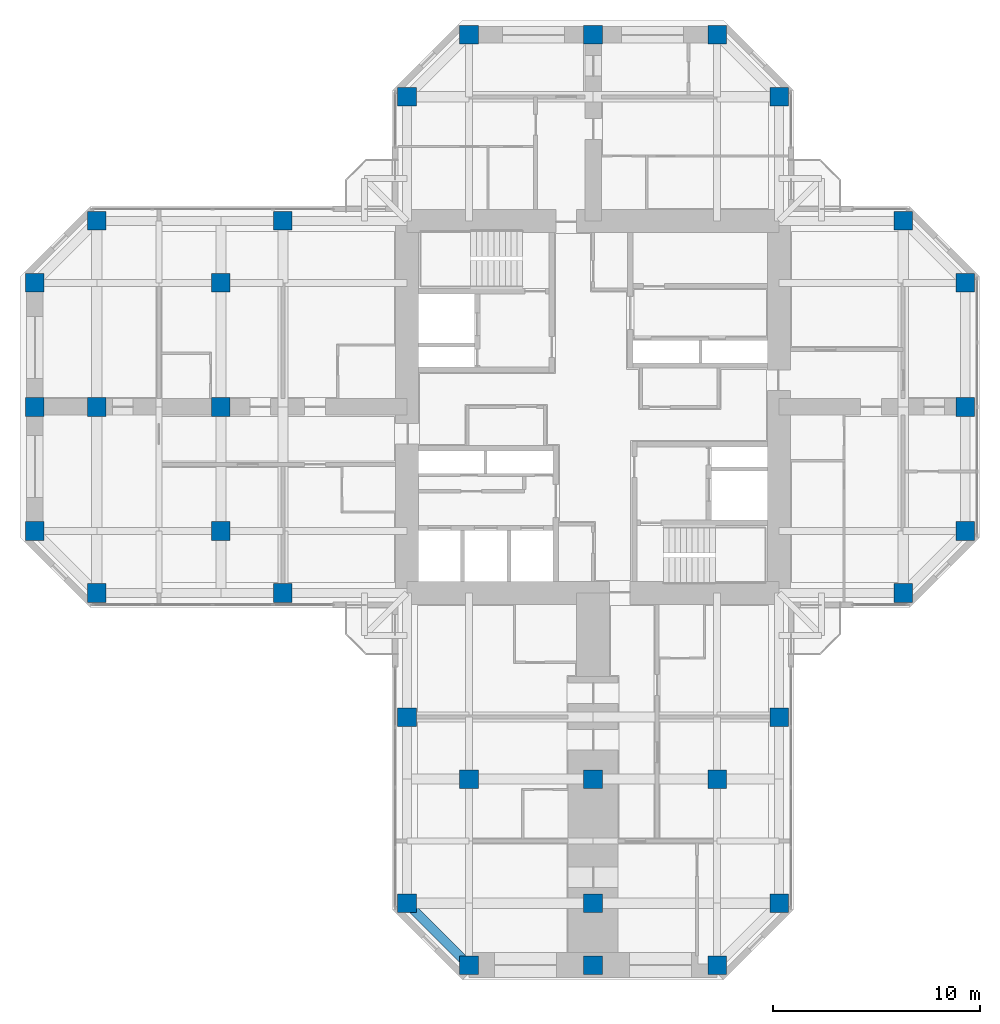
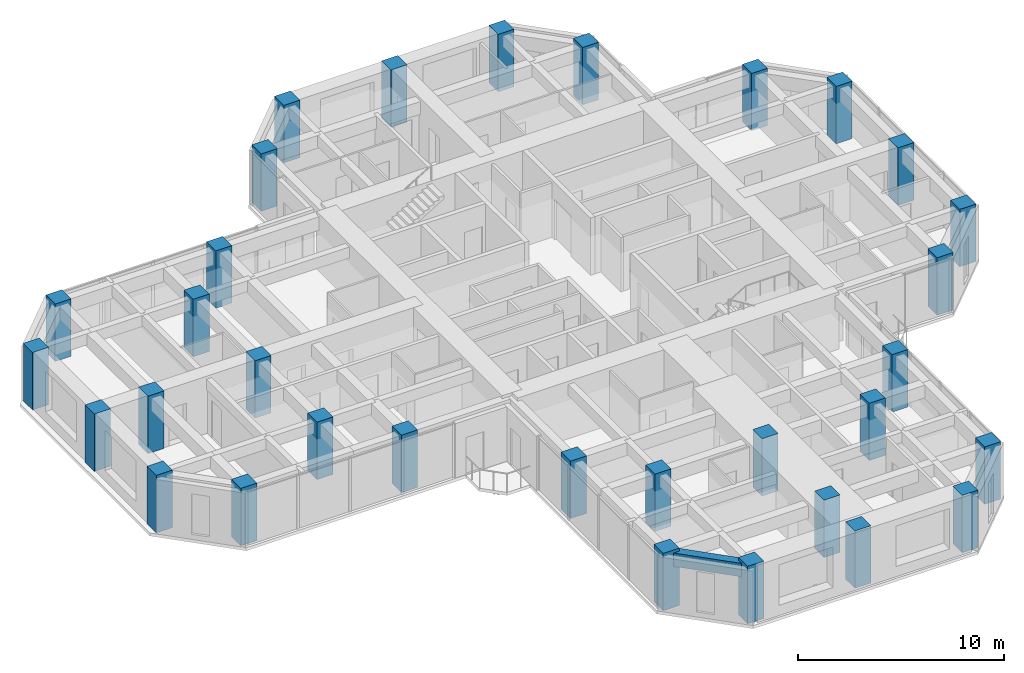
# One storey, part 1 of 14: 32 columns, 1 beam.
"""IFC4 building model written with IfcOpenShell, lengths in metres."""

from ifc_helpers import new_model, si_unit, direction, frame, origin, origin_2d, place, context, subcontext, project, spatial, rectangle, extrude, material, material_profile, profile_set, type_object, element, save


model = new_model("IFC4")

# Units and contexts
model_context = context("Model", 3, precision=1e-05, world=origin(), true_north=direction((0.0, 1.0)))
body_context = subcontext(model_context, "Body", "Model", "MODEL_VIEW")
ifc_project = project(units=[si_unit("LENGTHUNIT", "METRE"), si_unit("AREAUNIT", "SQUARE_METRE"), si_unit("VOLUMEUNIT", "CUBIC_METRE"), si_unit("PLANEANGLEUNIT", "RADIAN"), si_unit("MASSUNIT", "GRAM", prefix="KILO")], contexts=[model_context])

# Site, building, storey
site_placement = place(None, origin())
site = spatial("IfcSite", under=ifc_project, at=site_placement, CompositionType="ELEMENT")
building_placement = place(site_placement, origin())
building = spatial("IfcBuilding", under=site, at=building_placement, Name="Torre Cruceta", CompositionType="ELEMENT")
storey_placement = place(building_placement, frame((0.0, 0.0, 210.300048828125)))
storey = spatial("IfcBuildingStorey", under=building, at=storey_placement, Name="L53", CompositionType="ELEMENT", Elevation=210.300048828125)

# Columns
ifc_material_1 = material(Name="Concrete G60 (fck 60 MPa)", Category="concrete")
ifc_material_profile_1 = material_profile(ifc_material_1, rectangle(XDim=0.89990234375, YDim=0.89990234375, at=origin_2d()), Name="RC 900X900")
ifc_profile_set_1 = profile_set([ifc_material_profile_1], Name="Concrete G60 (fck 60 MPa)")
column_type = type_object("IfcColumnType", Name="COLUMN RC 900X900", PredefinedType="COLUMN", material=ifc_profile_set_1)
for number, where, z_axis, x_axis, name in (
    (1, (9.0, 15.0, 0.0), (0.0, 0.0, 1.0), (1.0, 0.0, 0.0), "C6 L53 N chamfer"),
    (2, (-9.0, 15.0, 0.0), (0.0, 0.0, 1.0), (1.0, 0.0, 0.0), "C6 L53 N chamfer"),
    (3, (6.0, 18.0, 0.0), (0.0, 0.0, 1.0), (1.0, 0.0, 0.0), "C6 L53 N tip"),
    (4, (0.0, 18.0, 0.0), (0.0, 0.0, 1.0), (1.0, 0.0, 0.0), "C6 L53 N tip"),
    (5, (-6.0, 18.0, 0.0), (0.0, 0.0, 1.0), (1.0, 0.0, 0.0), "C6 L53 N tip"),
    (6, (15.0, -9.0, 0.0), (0.0, 0.0, 1.0), (1.0, 0.0, 0.0), "C6 L53 E chamfer"),
    (7, (15.0, 9.0, 0.0), (0.0, 0.0, 1.0), (1.0, 0.0, 0.0), "C6 L53 E chamfer"),
    (8, (18.0, -6.0, 0.0), (0.0, 0.0, 1.0), (1.0, 0.0, 0.0), "C6 L53 E tip"),
    (9, (18.0, 0.0, 0.0), (0.0, 0.0, 1.0), (1.0, 0.0, 0.0), "C6 L53 E tip"),
    (10, (18.0, 6.0, 0.0), (0.0, 0.0, 1.0), (1.0, 0.0, 0.0), "C6 L53 E tip"),
    (11, (-9.0, -15.0, 0.0), (0.0, 0.0, 1.0), (1.0, 0.0, 0.0), "C6 L53 S side"),
    (12, (-9.0, -24.0, 0.0), (0.0, 0.0, 1.0), (1.0, 0.0, 0.0), "C6 L53 S chamfer"),
    (13, (9.0, -15.0, 0.0), (0.0, 0.0, 1.0), (1.0, 0.0, 0.0), "C6 L53 S side"),
    (14, (9.0, -24.0, 0.0), (0.0, 0.0, 1.0), (1.0, 0.0, 0.0), "C6 L53 S chamfer"),
    (15, (-6.0, -27.0, 0.0), (0.0, 0.0, 1.0), (1.0, 0.0, 0.0), "C6 L53 S tip"),
    (16, (0.0, -27.0, 0.0), (0.0, 0.0, 1.0), (1.0, 0.0, 0.0), "C6 L53 S tip"),
    (17, (6.0, -27.0, 0.0), (0.0, 0.0, 1.0), (1.0, 0.0, 0.0), "C6 L53 S tip"),
    (18, (-15.0, 9.0, 0.0), (0.0, 0.0, 1.0), (1.0, 0.0, 0.0), "C6 L53 W side"),
    (19, (-24.0, 9.0, 0.0), (0.0, 0.0, 1.0), (1.0, 0.0, 0.0), "C6 L53 W chamfer"),
    (20, (-15.0, -9.0, 0.0), (0.0, 0.0, 1.0), (1.0, 0.0, 0.0), "C6 L53 W side"),
    (21, (-24.0, -9.0, 0.0), (0.0, 0.0, 1.0), (1.0, 0.0, 0.0), "C6 L53 W chamfer"),
    (22, (-27.0, 6.0, 0.0), (0.0, 0.0, 1.0), (1.0, 0.0, 0.0), "C6 L53 W tip"),
    (23, (-27.0, 0.0, 0.0), (0.0, 0.0, 1.0), (1.0, 0.0, 0.0), "C6 L53 W tip"),
    (24, (-27.0, -6.0, 0.0), (0.0, 0.0, 1.0), (1.0, 0.0, 0.0), "C6 L53 W tip"),
    (25, (-6.0, -18.0, 0.0), (0.0, 0.0, 1.0), (1.0, 0.0, 0.0), "C6 L53 S interior"),
    (26, (0.0, -18.0, 0.0), (0.0, 0.0, 1.0), (1.0, 0.0, 0.0), "C6 L53 S interior"),
    (27, (6.0, -18.0, 0.0), (0.0, 0.0, 1.0), (1.0, 0.0, 0.0), "C6 L53 S interior"),
    (28, (0.0, -24.0, 0.0), (0.0, 0.0, 1.0), (1.0, 0.0, 0.0), "C6 L53 S interior"),
    (29, (-18.0, 6.0, 0.0), (0.0, 0.0, 1.0), (1.0, 0.0, 0.0), "C6 L53 W interior"),
    (30, (-18.0, 0.0, 0.0), (0.0, 0.0, 1.0), (1.0, 0.0, 0.0), "C6 L53 W interior"),
    (31, (-18.0, -6.0, 0.0), (0.0, 0.0, 1.0), (1.0, 0.0, 0.0), "C6 L53 W interior"),
    (32, (-24.0, 0.0, 0.0), (0.0, 0.0, 1.0), (1.0, 0.0, 0.0), "C6 L53 W interior"),
):
    element("IfcColumn", number, at=place(storey_placement, frame(where, z_axis=z_axis, x_axis=x_axis)), inside=storey, type_object=column_type, Name=name, PredefinedType="COLUMN", context=body_context, shape_type="SweptSolid", body=[
        extrude(rectangle(XDim=0.89990234375, YDim=0.89990234375, at=origin_2d()), origin(), (0.0, 0.0, 1.0), 3.39990234375),
    ])

# Beam
ifc_material_2 = material(Name="Concrete G60 (fck 60 MPa)", Category="concrete")
ifc_material_profile_2 = material_profile(ifc_material_2, rectangle(XDim=0.449951171875, YDim=0.800048828125, at=origin_2d()), Name="RC 450X800")
ifc_profile_set_2 = profile_set([ifc_material_profile_2], Name="Concrete G60 (fck 60 MPa)")
beam_type = type_object("IfcBeamType", Name="SPANDREL BEAM RC 450X800", PredefinedType="SPANDREL", material=ifc_profile_set_2)
beam_placement = place(storey_placement, frame((-9.0, -24.0, 2.820068359375), z_axis=(0.707106781187, -0.707106781187, 0.0), x_axis=(0.707106781187, 0.707106781187, 0.0)))
element("IfcBeam", 33, at=beam_placement, inside=storey, type_object=beam_type, Name="SB6 L53 S side- 5", PredefinedType="SPANDREL", context=body_context, shape_type="SweptSolid", body=[
    extrude(rectangle(XDim=0.449951171875, YDim=0.800048828125, at=origin_2d()), origin(), (0.0, 0.0, 1.0), 4.24267578125),
])

save(model, "model.ifc")
